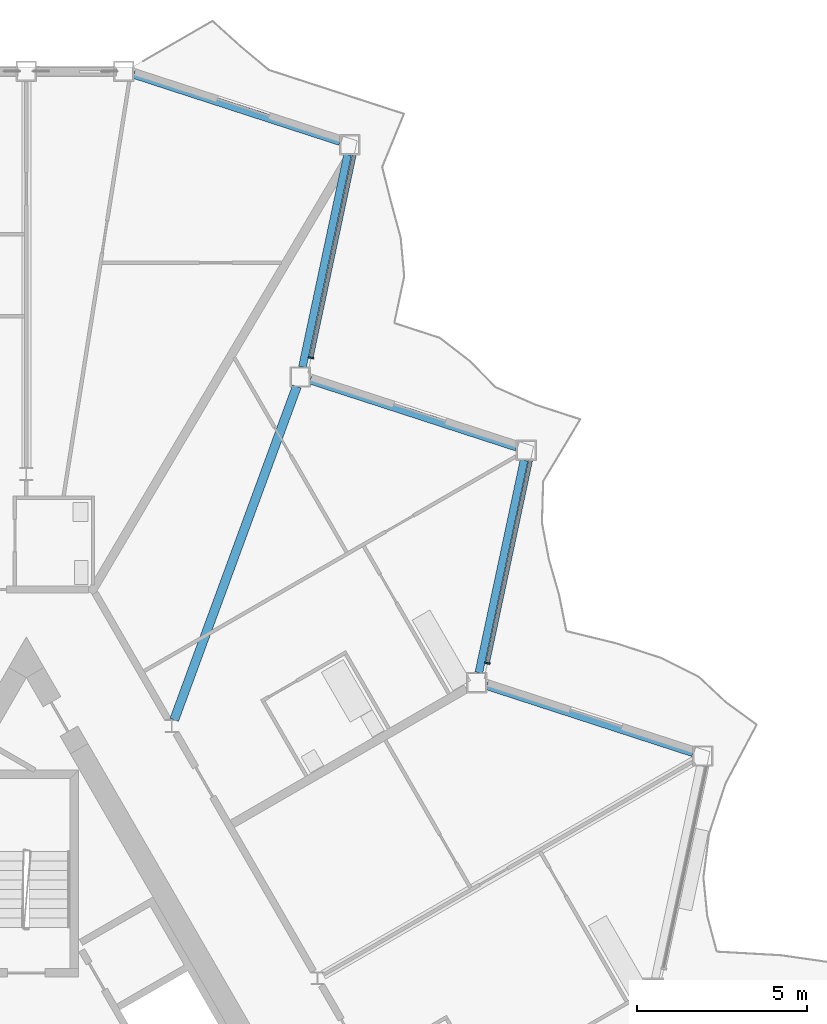
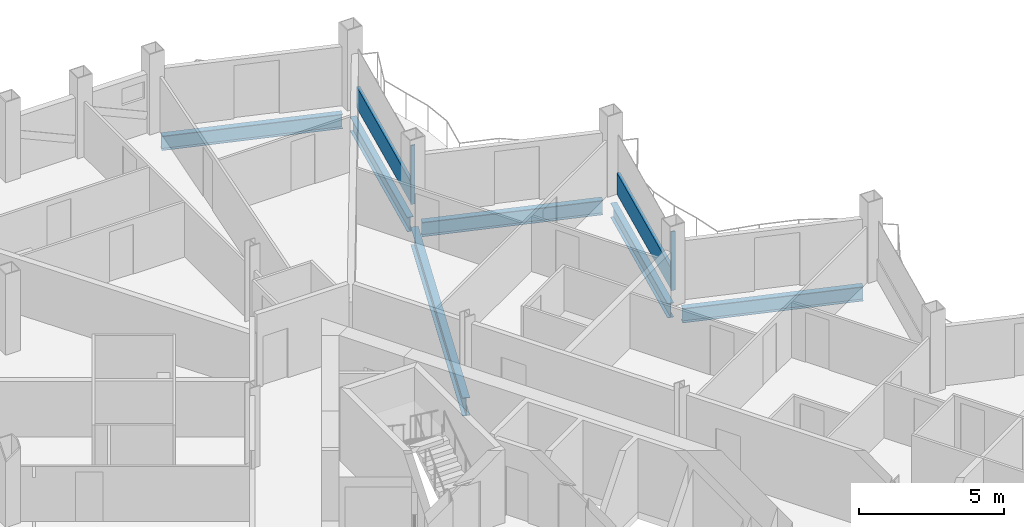
# One storey, part 11 of 27: 6 beams, 4 members, 2 elements without a shape of their own.
"""IFC4 building model written with IfcOpenShell, lengths in metres."""

from ifc_helpers import new_model, si_unit, direction, frame, origin, origin_2d, place, context, subcontext, project, spatial, rectangle, i_section, extrude, material, layer, layer_set, material_profile, profile_set, type_object, element, aggregate, save


model = new_model("IFC4")

# Units and contexts
model_context = context("Model", 3, precision=1e-05, world=origin(), true_north=direction((0.0, 1.0)))
body_context = subcontext(model_context, "Body", "Model", "MODEL_VIEW")
ifc_project = project(units=[si_unit("LENGTHUNIT", "METRE"), si_unit("AREAUNIT", "SQUARE_METRE"), si_unit("VOLUMEUNIT", "CUBIC_METRE"), si_unit("PLANEANGLEUNIT", "RADIAN"), si_unit("MASSUNIT", "GRAM", prefix="KILO")], contexts=[model_context])

# Site, building, storey
site_placement = place(None, origin())
site = spatial("IfcSite", under=ifc_project, at=site_placement, CompositionType="ELEMENT")
building_placement = place(site_placement, origin())
building = spatial("IfcBuilding", under=site, at=building_placement, Name="Cormorant Prow Tower", CompositionType="ELEMENT")
storey_placement = place(building_placement, frame((0.0, 0.0, 332.39990234375)))
storey = spatial("IfcBuildingStorey", under=building, at=storey_placement, Name="L74", CompositionType="ELEMENT", Elevation=332.39990234375)

# Beam
ifc_material_1 = material(Name="Structural steel ASTM A992 Gr 50", Category="steel")
ifc_material_profile_1 = material_profile(ifc_material_1, i_section(OverallWidth=0.267822265625, OverallDepth=0.77001953125, WebThickness=0.015625, FlangeThickness=0.025390625, at=origin_2d()), Name="W30x132")
ifc_profile_set_1 = profile_set([ifc_material_profile_1], Name="Structural steel ASTM A992 Gr 50")
beam_type_1 = type_object("IfcBeamType", Name="Radial floor beam W30x132", PredefinedType="BEAM", material=ifc_profile_set_1)
beam_1_placement = place(storey_placement, frame((4.357421875, 12.5673828125, -0.684814453125), z_axis=(0.345131226703, 0.938554439739, 0.0), x_axis=(-0.938554439739, 0.345131226703, 0.0)))
element("IfcBeam", 1, at=beam_1_placement, inside=storey, type_object=beam_type_1, Name="Radial floor beam FB3 12 L74", PredefinedType="BEAM", context=body_context, shape_type="SweptSolid", body=[
    extrude(i_section(OverallWidth=0.267822265625, OverallDepth=0.77001953125, WebThickness=0.015625, FlangeThickness=0.025390625, at=origin_2d()), origin(), (0.0, 0.0, 1.0), 10.465087890625),
])

# Curtain wall, member
ifc_material_2 = material(Name="Aluminium 6063-T6", Category="aluminium")
ifc_layer = layer(ifc_material_2, 0.159912109375)
ifc_layer_set = layer_set([ifc_layer], Name="Aluminium 6063-T6")
curtain_wall_type = type_object("IfcCurtainWallType", Name="Residential unitised curtain wall 160", PredefinedType="NOTDEFINED", material=ifc_layer_set)
curtain_wall_1_placement = place(storey_placement, origin())
curtain_wall_1 = element("IfcCurtainWall", 2, at=curtain_wall_1_placement, inside=storey, type_object=curtain_wall_type, Name="Residential curtain wall ENE06", PredefinedType="NOTDEFINED")
ifc_material_3 = material(Name="Aluminium 6063-T6", Category="aluminium")
ifc_material_profile_2 = material_profile(ifc_material_3, rectangle(XDim=0.159912109375, YDim=0.050048828125, at=origin_2d()), Name="Residential mullion 50x160")
ifc_profile_set_2 = profile_set([ifc_material_profile_2], Name="Aluminium 6063-T6")
member_type_1 = type_object("IfcMemberType", Name="Residential mullion 50x160", PredefinedType="MULLION", material=ifc_profile_set_2)
member_1_placement = place(storey_placement, frame((13.586181640625, 14.238037109375, 0.0), z_axis=(0.0, 0.0, 1.0), x_axis=(-0.978147592438, 0.207911729844, 0.0)))
member_1 = element("IfcMember", 3, at=member_1_placement, type_object=member_type_1, Name="Residential mullion ENE06", PredefinedType="MULLION", context=body_context, shape_type="SweptSolid", body=[
    extrude(rectangle(XDim=0.159912109375, YDim=0.050048828125, at=origin_2d()), origin(), (0.0, 0.0, 1.0), 2.488037109375),
])

curtain_wall_2_placement = place(storey_placement, origin())
curtain_wall_2 = element("IfcCurtainWall", 4, at=curtain_wall_2_placement, inside=storey, type_object=curtain_wall_type, Name="Residential curtain wall ENE08", PredefinedType="NOTDEFINED")
member_2_placement = place(storey_placement, frame((8.389892578125, 23.23828125, 0.0), z_axis=(0.0, 0.0, 1.0), x_axis=(-0.978147598618, 0.207911700771, 0.0)))
member_2 = element("IfcMember", 5, at=member_2_placement, type_object=member_type_1, Name="Residential mullion ENE08", PredefinedType="MULLION", context=body_context, shape_type="SweptSolid", body=[
    extrude(rectangle(XDim=0.159912109375, YDim=0.050048828125, at=origin_2d()), origin(), (0.0, 0.0, 1.0), 2.488037109375),
])

# Member
ifc_material_4 = material(Name="Terracotta", Category="masonry")
ifc_material_profile_3 = material_profile(ifc_material_4, rectangle(XDim=0.1201171875, YDim=0.89990234375, at=origin_2d()), Name="Residential terracotta spandrel rail 120x900")
ifc_profile_set_3 = profile_set([ifc_material_profile_3], Name="Terracotta")
member_type_2 = type_object("IfcMemberType", Name="Residential terracotta spandrel rail 120x900", PredefinedType="USERDEFINED", material=ifc_profile_set_3)
member_3_placement = place(storey_placement, frame((13.59130859375, 14.262451171875, 0.4501953125), z_axis=(0.207920286292, 0.97814577367, 0.0), x_axis=(-0.97814577367, 0.207920286292, 0.0)))
member_3 = element("IfcMember", 6, at=member_3_placement, type_object=member_type_2, Name="Residential spandrel rail ENE06", ObjectType="TRANSOM", PredefinedType="USERDEFINED", context=body_context, shape_type="SweptSolid", body=[
    extrude(rectangle(XDim=0.1201171875, YDim=0.89990234375, at=origin_2d()), origin(), (0.0, 0.0, 1.0), 6.07421875),
])

aggregate(curtain_wall_1, [member_1, member_3])

member_4_placement = place(storey_placement, frame((8.39501953125, 23.2626953125, 0.4501953125), z_axis=(0.207920286292, 0.97814577367, 0.0), x_axis=(-0.97814577367, 0.207920286292, 0.0)))
member_4 = element("IfcMember", 7, at=member_4_placement, type_object=member_type_2, Name="Residential spandrel rail ENE08", ObjectType="TRANSOM", PredefinedType="USERDEFINED", context=body_context, shape_type="SweptSolid", body=[
    extrude(rectangle(XDim=0.1201171875, YDim=0.89990234375, at=origin_2d()), origin(), (0.0, 0.0, 1.0), 6.07421875),
])

aggregate(curtain_wall_2, [member_2, member_4])

# Beams
ifc_material_5 = material(Name="Structural steel ASTM A992 Gr 50", Category="steel")
ifc_material_profile_4 = material_profile(ifc_material_5, i_section(OverallWidth=0.22900390625, OverallDepth=0.612060546875, WebThickness=0.011962890625, FlangeThickness=0.01953125, at=origin_2d()), Name="W24x84")
ifc_profile_set_4 = profile_set([ifc_material_profile_4], Name="Structural steel ASTM A992 Gr 50")
beam_type_2 = type_object("IfcBeamType", Name="Spandrel beam W24x84", PredefinedType="SPANDREL", material=ifc_profile_set_4)
for number, where, z_axis, x_axis, name in (
    (8, (19.640380859375, 11.5966796875, -0.60595703125), (-0.95105314132, 0.309027381286, 0.0), (-0.309027381286, -0.95105314132, 0.0), "Spandrel beam SB3 ENE05-ENE06 L74"),
    (9, (13.334228515625, 13.95947265625, -0.60595703125), (0.207920386839, 0.978145752297, 0.0), (-0.978145752297, 0.207920386839, 0.0), "Spandrel beam SB3 ENE06-ENE07 L74"),
    (10, (14.441162109375, 20.601806640625, -0.60595703125), (-0.95105314132, 0.309027381286, 0.0), (-0.309027381286, -0.95105314132, 0.0), "Spandrel beam SB3 ENE07-ENE08 L74"),
):
    element("IfcBeam", number, at=place(storey_placement, frame(where, z_axis=z_axis, x_axis=x_axis)), inside=storey, type_object=beam_type_2, Name=name, PredefinedType="SPANDREL", context=body_context, shape_type="SweptSolid", body=[
        extrude(i_section(OverallWidth=0.22900390625, OverallDepth=0.612060546875, WebThickness=0.011962890625, FlangeThickness=0.01953125, at=origin_2d()), origin(), (0.0, 0.0, 1.0), 6.39599609375),
    ])
beam_2_placement = place(storey_placement, frame((8.13525390625, 22.96435546875, -0.60595703125), z_axis=(0.20791262393, 0.978147402394, 0.0), x_axis=(-0.978147402394, 0.20791262393, 0.0)))
element("IfcBeam", 11, at=beam_2_placement, inside=storey, type_object=beam_type_2, Name="Spandrel beam SB3 ENE08-ENE09 L74", PredefinedType="SPANDREL", context=body_context, shape_type="SweptSolid", body=[
    extrude(i_section(OverallWidth=0.22900390625, OverallDepth=0.612060546875, WebThickness=0.011962890625, FlangeThickness=0.01953125, at=origin_2d()), origin(), (0.0, 0.0, 1.0), 6.396240234375),
])
beam_3_placement = place(storey_placement, frame((9.2421875, 29.60693359375, -0.60595703125), z_axis=(-0.951064359156, 0.308992855489, 0.0), x_axis=(-0.308992855489, -0.951064359156, 0.0)))
element("IfcBeam", 12, at=beam_3_placement, inside=storey, type_object=beam_type_2, Name="Spandrel beam SB3 ENE09-N00 L74", PredefinedType="SPANDREL", context=body_context, shape_type="SweptSolid", body=[
    extrude(i_section(OverallWidth=0.22900390625, OverallDepth=0.612060546875, WebThickness=0.011962890625, FlangeThickness=0.01953125, at=origin_2d()), origin(), (0.0, 0.0, 1.0), 6.39599609375),
])

save(model, "model.ifc")
